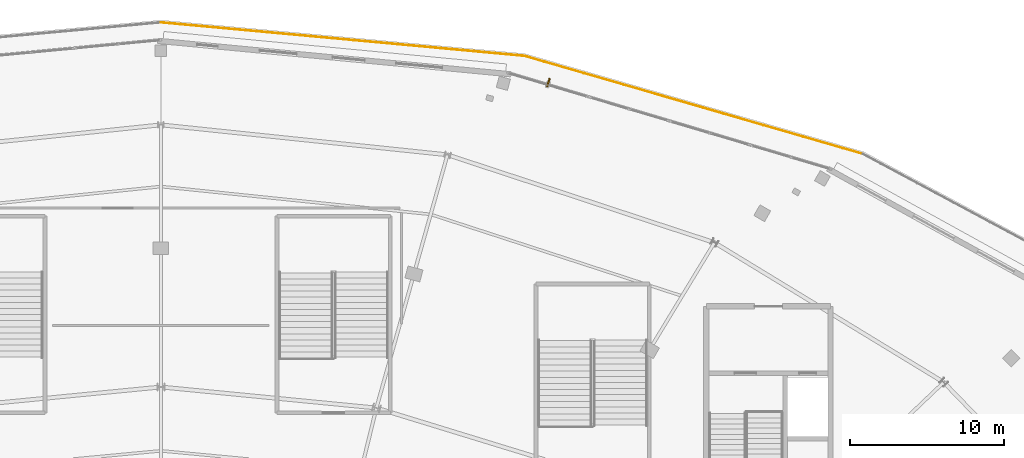
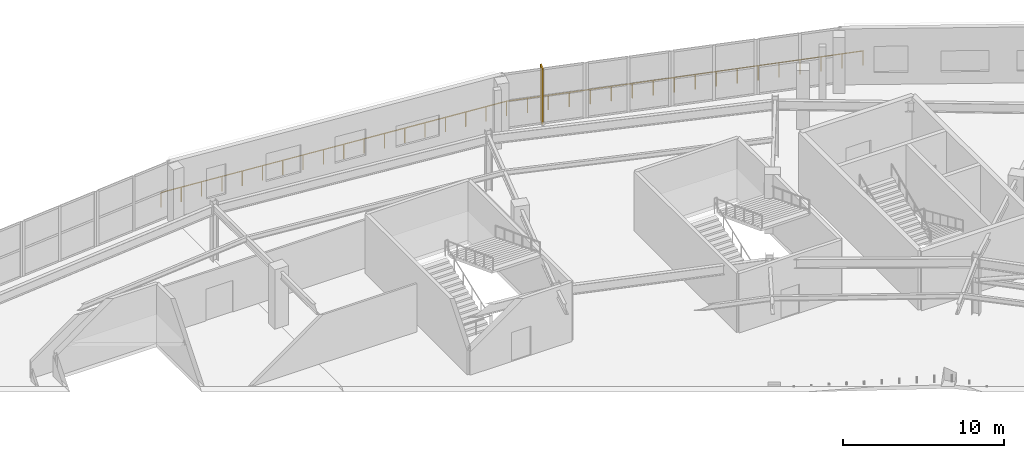
# One storey, part 102 of 107: 2 railings, 1 shading device.
"""IFC4 building model written with IfcOpenShell, lengths in metres."""

from ifc_helpers import new_model, si_unit, direction, frame, origin, origin_2d, place, context, subcontext, project, spatial, rectangle, circle, extrude, material, layer, layer_set, type_object, element, save


model = new_model("IFC4")

# Units and contexts
model_context = context("Model", 3, precision=1e-05, world=origin(), true_north=direction((0.0, 1.0)))
body_context = subcontext(model_context, "Body", "Model", "MODEL_VIEW")
ifc_project = project(units=[si_unit("LENGTHUNIT", "METRE"), si_unit("AREAUNIT", "SQUARE_METRE"), si_unit("VOLUMEUNIT", "CUBIC_METRE"), si_unit("PLANEANGLEUNIT", "RADIAN"), si_unit("MASSUNIT", "GRAM", prefix="KILO")], contexts=[model_context])

# Site, building, storey
site_placement = place(None, origin())
site = spatial("IfcSite", under=ifc_project, at=site_placement, CompositionType="ELEMENT")
building_placement = place(site_placement, origin())
building = spatial("IfcBuilding", under=site, at=building_placement, Name="Kalgoora Escarpment Arena", CompositionType="ELEMENT")
storey_placement = place(building_placement, frame((0.0, 0.0, 5.39990234375)))
storey = spatial("IfcBuildingStorey", under=building, at=storey_placement, Name="L01", CompositionType="ELEMENT", Elevation=5.39990234375)

# Railings
ifc_material_1 = material(Name="Champagne anodised aluminium & laminated glass", Category="aluminium")
railing_type = type_object("IfcRailingType", Name="RAL-TERR-1100", PredefinedType="GUARDRAIL", material=ifc_material_1)
railing_1_placement = place(storey_placement, frame((92.39990234375, 127.639404296875, 0.0)))
element("IfcRailing", 1, at=railing_1_placement, inside=storey, type_object=railing_type, Name="Lower Planted Elliptical Garden Promenade perimeter guardrail 017", PredefinedType="GUARDRAIL", context=body_context, shape_type="SweptSolid", body=[
    extrude(circle(Radius=0.02392578125, at=origin_2d()), frame((0.0, 0.0, 1.09619140625), z_axis=(0.995785839901, -0.091709111072, 0.0), x_axis=(0.091709111072, 0.995785839901, 0.0)), (0.0, 0.0, 1.0), 23.67431640625),
    extrude(circle(Radius=0.02099609375, at=origin_2d()), origin(), (0.0, 0.0, 1.0), 1.072021484375),
    extrude(circle(Radius=0.02099609375, at=origin_2d()), frame((1.38671875, -0.127685546875, 0.0)), (0.0, 0.0, 1.0), 1.072021484375),
    extrude(circle(Radius=0.02099609375, at=origin_2d()), frame((2.7734375, -0.25537109375, 0.0)), (0.0, 0.0, 1.0), 1.072021484375),
    extrude(circle(Radius=0.02099609375, at=origin_2d()), frame((4.16015625, -0.383056640625, 0.0)), (0.0, 0.0, 1.0), 1.072021484375),
    extrude(circle(Radius=0.02099609375, at=origin_2d()), frame((5.546875, -0.5107421875, 0.0)), (0.0, 0.0, 1.0), 1.072021484375),
    extrude(circle(Radius=0.02099609375, at=origin_2d()), frame((6.93359375, -0.638671875, 0.0)), (0.0, 0.0, 1.0), 1.072021484375),
    extrude(circle(Radius=0.02099609375, at=origin_2d()), frame((8.3203125, -0.766357421875, 0.0)), (0.0, 0.0, 1.0), 1.072021484375),
    extrude(circle(Radius=0.02099609375, at=origin_2d()), frame((9.70703125, -0.89404296875, 0.0)), (0.0, 0.0, 1.0), 1.072021484375),
    extrude(circle(Radius=0.02099609375, at=origin_2d()), frame((11.09375, -1.021728515625, 0.0)), (0.0, 0.0, 1.0), 1.072021484375),
    extrude(circle(Radius=0.02099609375, at=origin_2d()), frame((12.480712890625, -1.1494140625, 0.0)), (0.0, 0.0, 1.0), 1.072021484375),
    extrude(circle(Radius=0.02099609375, at=origin_2d()), frame((13.867431640625, -1.277099609375, 0.0)), (0.0, 0.0, 1.0), 1.072021484375),
    extrude(circle(Radius=0.02099609375, at=origin_2d()), frame((15.254150390625, -1.40478515625, 0.0)), (0.0, 0.0, 1.0), 1.072021484375),
    extrude(circle(Radius=0.02099609375, at=origin_2d()), frame((16.640869140625, -1.532470703125, 0.0)), (0.0, 0.0, 1.0), 1.072021484375),
    extrude(circle(Radius=0.02099609375, at=origin_2d()), frame((18.027587890625, -1.660400390625, 0.0)), (0.0, 0.0, 1.0), 1.072021484375),
    extrude(circle(Radius=0.02099609375, at=origin_2d()), frame((19.414306640625, -1.7880859375, 0.0)), (0.0, 0.0, 1.0), 1.072021484375),
    extrude(circle(Radius=0.02099609375, at=origin_2d()), frame((20.801025390625, -1.915771484375, 0.0)), (0.0, 0.0, 1.0), 1.072021484375),
    extrude(circle(Radius=0.02099609375, at=origin_2d()), frame((22.187744140625, -2.04345703125, 0.0)), (0.0, 0.0, 1.0), 1.072021484375),
    extrude(circle(Radius=0.02099609375, at=origin_2d()), frame((23.574462890625, -2.171142578125, 0.0)), (0.0, 0.0, 1.0), 1.072021484375),
])
railing_2_placement = place(storey_placement, frame((115.974365234375, 125.46826171875, 0.0)))
element("IfcRailing", 2, at=railing_2_placement, inside=storey, type_object=railing_type, Name="Lower Planted Elliptical Garden Promenade perimeter guardrail 018", PredefinedType="GUARDRAIL", context=body_context, shape_type="SweptSolid", body=[
    extrude(circle(Radius=0.02392578125, at=origin_2d()), frame((0.0, 0.0, 1.09619140625), z_axis=(0.960488289944, -0.278320399685, 0.0), x_axis=(0.278320399685, 0.960488289944, 0.0)), (0.0, 0.0, 1.0), 22.868408203125),
    extrude(circle(Radius=0.02099609375, at=origin_2d()), origin(), (0.0, 0.0, 1.0), 1.072021484375),
    extrude(circle(Radius=0.02099609375, at=origin_2d()), frame((1.2919921875, -0.37451171875, 0.0)), (0.0, 0.0, 1.0), 1.072021484375),
    extrude(circle(Radius=0.02099609375, at=origin_2d()), frame((2.583984375, -0.748779296875, 0.0)), (0.0, 0.0, 1.0), 1.072021484375),
    extrude(circle(Radius=0.02099609375, at=origin_2d()), frame((3.876220703125, -1.123291015625, 0.0)), (0.0, 0.0, 1.0), 1.072021484375),
    extrude(circle(Radius=0.02099609375, at=origin_2d()), frame((5.168212890625, -1.49755859375, 0.0)), (0.0, 0.0, 1.0), 1.072021484375),
    extrude(circle(Radius=0.02099609375, at=origin_2d()), frame((6.460205078125, -1.8720703125, 0.0)), (0.0, 0.0, 1.0), 1.072021484375),
    extrude(circle(Radius=0.02099609375, at=origin_2d()), frame((7.752197265625, -2.246337890625, 0.0)), (0.0, 0.0, 1.0), 1.072021484375),
    extrude(circle(Radius=0.02099609375, at=origin_2d()), frame((9.04443359375, -2.620849609375, 0.0)), (0.0, 0.0, 1.0), 1.072021484375),
    extrude(circle(Radius=0.02099609375, at=origin_2d()), frame((10.33642578125, -2.9951171875, 0.0)), (0.0, 0.0, 1.0), 1.072021484375),
    extrude(circle(Radius=0.02099609375, at=origin_2d()), frame((11.62841796875, -3.36962890625, 0.0)), (0.0, 0.0, 1.0), 1.072021484375),
    extrude(circle(Radius=0.02099609375, at=origin_2d()), frame((12.92041015625, -3.743896484375, 0.0)), (0.0, 0.0, 1.0), 1.072021484375),
    extrude(circle(Radius=0.02099609375, at=origin_2d()), frame((14.212646484375, -4.118408203125, 0.0)), (0.0, 0.0, 1.0), 1.072021484375),
    extrude(circle(Radius=0.02099609375, at=origin_2d()), frame((15.504638671875, -4.49267578125, 0.0)), (0.0, 0.0, 1.0), 1.072021484375),
    extrude(circle(Radius=0.02099609375, at=origin_2d()), frame((16.796630859375, -4.8671875, 0.0)), (0.0, 0.0, 1.0), 1.072021484375),
    extrude(circle(Radius=0.02099609375, at=origin_2d()), frame((18.088623046875, -5.241455078125, 0.0)), (0.0, 0.0, 1.0), 1.072021484375),
    extrude(circle(Radius=0.02099609375, at=origin_2d()), frame((19.380859375, -5.615966796875, 0.0)), (0.0, 0.0, 1.0), 1.072021484375),
    extrude(circle(Radius=0.02099609375, at=origin_2d()), frame((20.6728515625, -5.990234375, 0.0)), (0.0, 0.0, 1.0), 1.072021484375),
    extrude(circle(Radius=0.02099609375, at=origin_2d()), frame((21.96484375, -6.36474609375, 0.0)), (0.0, 0.0, 1.0), 1.072021484375),
])

# Shading device
ifc_material_2 = material(Name="Champagne anodised extruded aluminium", Category="aluminium")
ifc_layer = layer(ifc_material_2, 0.080078125)
ifc_layer_set = layer_set([ifc_layer], Name="SHD-FIN-CHAMP")
shading_device_type = type_object("IfcShadingDeviceType", Name="SHD-FIN-CHAMP", PredefinedType="USERDEFINED", material=ifc_layer_set)
shading_device_placement = place(storey_placement, frame((117.533203125, 123.75, 0.0), z_axis=(0.0, 0.0, 1.0), x_axis=(0.285688367405, 0.958322574465, 0.0)))
element("IfcShadingDevice", 3, at=shading_device_placement, inside=storey, type_object=shading_device_type, Name="L01 champagne anodised solar fin 04", ObjectType="FIN", PredefinedType="USERDEFINED", context=body_context, shape_type="SweptSolid", body=[
    extrude(rectangle(XDim=0.56005859375, YDim=0.10009765625, at=origin_2d()), origin(), (0.0, 0.0, 1.0), 4.25),
])

save(model, "model.ifc")
